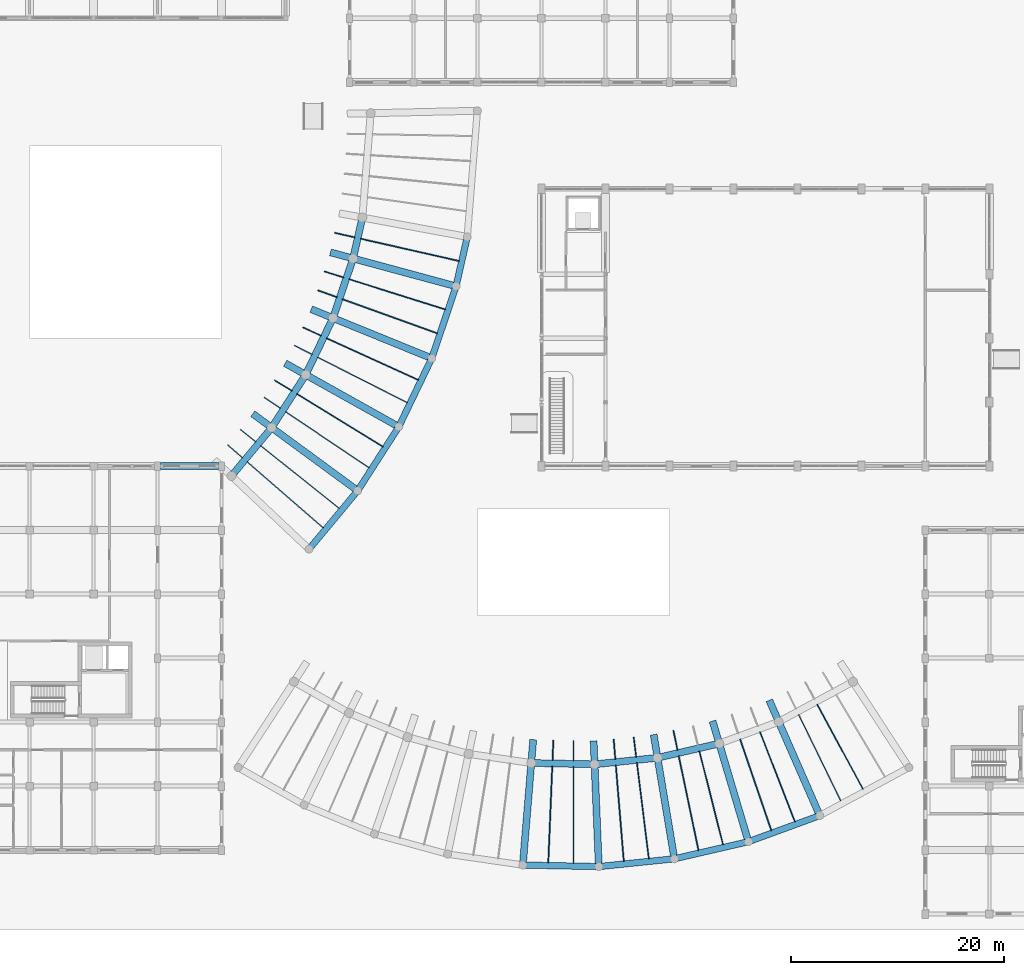
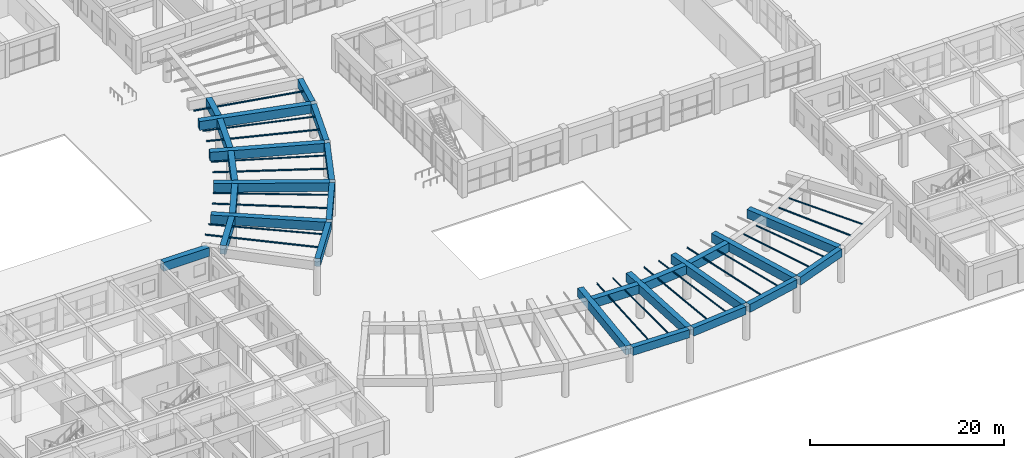
# One storey, part 13 of 76: 60 beams.
"""IFC4 building model written with IfcOpenShell, lengths in metres."""

from ifc_helpers import new_model, si_unit, direction, frame, origin, origin_2d, place, context, subcontext, project, spatial, rectangle, i_section, extrude, material, material_profile, profile_set, type_object, element, save


model = new_model("IFC4")

# Units and contexts
model_context = context("Model", 3, precision=1e-05, world=origin(), true_north=direction((0.0, 1.0)))
body_context = subcontext(model_context, "Body", "Model", "MODEL_VIEW")
ifc_project = project(units=[si_unit("LENGTHUNIT", "METRE"), si_unit("AREAUNIT", "SQUARE_METRE"), si_unit("VOLUMEUNIT", "CUBIC_METRE"), si_unit("PLANEANGLEUNIT", "RADIAN"), si_unit("MASSUNIT", "GRAM", prefix="KILO"), si_unit("POWERUNIT", "WATT"), si_unit("THERMODYNAMICTEMPERATUREUNIT", "KELVIN")], contexts=[model_context])

# Site, building, storey
site_placement = place(None, origin())
site = spatial("IfcSite", under=ifc_project, at=site_placement, CompositionType="ELEMENT")
building_placement = place(site_placement, origin())
building = spatial("IfcBuilding", under=site, at=building_placement, Name="Ruvembo Vaulted Housing Court", CompositionType="ELEMENT")
storey_placement = place(building_placement, origin())
storey = spatial("IfcBuildingStorey", under=building, at=storey_placement, Name="L00", CompositionType="ELEMENT", Elevation=0.0)

# Beams
ifc_material_1 = material(Name="Steel S355J2", Category="steel")
ifc_material_profile_1 = material_profile(ifc_material_1, i_section(OverallWidth=0.08203125, OverallDepth=0.159912109375, WebThickness=0.0048828125, FlangeThickness=0.00732421875, FilletRadius=0.009033203125, at=origin_2d()), Name="IPE 160")
ifc_profile_set_1 = profile_set([ifc_material_profile_1], Name="Steel S355J2")
beam_type_1 = type_object("IfcBeamType", Name="BM-ST-IPE160", PredefinedType="JOIST", material=ifc_profile_set_1)
beam_1_placement = place(storey_placement, frame((47.05126953125, 38.02490234375, 4.159912109375), z_axis=(-0.781430375968, 0.623992441873, 0.0), x_axis=(-0.623992441873, -0.781430375968, 0.0)))
element("IfcBeam", 1, at=beam_1_placement, inside=storey, type_object=beam_type_1, Name="Scoop SC1 L00 Interior Radial Joist 2", PredefinedType="JOIST", context=body_context, shape_type="SweptSolid", body=[
    extrude(i_section(OverallWidth=0.08203125, OverallDepth=0.159912109375, WebThickness=0.0048828125, FlangeThickness=0.00732421875, FilletRadius=0.009033203125, at=origin_2d()), origin(), (0.0, 0.0, 1.0), 9.453125),
])
beam_2_placement = place(storey_placement, frame((39.226806640625, 44.273193359375, 4.159912109375), z_axis=(-0.781489417742, 0.623918496246, 0.0), x_axis=(-0.623918496246, -0.781489417742, 0.0)))
element("IfcBeam", 2, at=beam_2_placement, inside=storey, type_object=beam_type_1, Name="Scoop SC1 L00 Radial Balcony Outrigger Joist 2", PredefinedType="JOIST", context=body_context, shape_type="SweptSolid", body=[
    extrude(i_section(OverallWidth=0.08203125, OverallDepth=0.159912109375, WebThickness=0.0048828125, FlangeThickness=0.00732421875, FilletRadius=0.009033203125, at=origin_2d()), origin(), (0.0, 0.0, 1.0), 1.87939453125),
])
beam_3_placement = place(storey_placement, frame((51.12255859375, 43.820556640625, 4.159912109375), z_axis=(-0.852040277322, 0.523476232337, 0.0), x_axis=(-0.523476232337, -0.852040277322, 0.0)))
element("IfcBeam", 3, at=beam_3_placement, inside=storey, type_object=beam_type_1, Name="Scoop SC1 L00 Interior Radial Joist 5", PredefinedType="JOIST", context=body_context, shape_type="SweptSolid", body=[
    extrude(i_section(OverallWidth=0.08203125, OverallDepth=0.159912109375, WebThickness=0.0048828125, FlangeThickness=0.00732421875, FilletRadius=0.009033203125, at=origin_2d()), origin(), (0.0, 0.0, 1.0), 9.453125),
])
beam_4_placement = place(storey_placement, frame((42.5908203125, 49.062255859375, 4.159912109375), z_axis=(-0.852081780152, 0.523408673919, 0.0), x_axis=(-0.523408673919, -0.852081780152, 0.0)))
element("IfcBeam", 4, at=beam_4_placement, inside=storey, type_object=beam_type_1, Name="Scoop SC1 L00 Radial Balcony Outrigger Joist 5", PredefinedType="JOIST", context=body_context, shape_type="SweptSolid", body=[
    extrude(i_section(OverallWidth=0.08203125, OverallDepth=0.159912109375, WebThickness=0.0048828125, FlangeThickness=0.00732421875, FilletRadius=0.009033203125, at=origin_2d()), origin(), (0.0, 0.0, 1.0), 1.87939453125),
])
beam_5_placement = place(storey_placement, frame((54.45263671875, 50.072021484375, 4.159912109375), z_axis=(-0.909808441123, 0.415028433316, 0.0), x_axis=(-0.415028433316, -0.909808441123, 0.0)))
element("IfcBeam", 5, at=beam_5_placement, inside=storey, type_object=beam_type_1, Name="Scoop SC1 L00 Interior Radial Joist 8", PredefinedType="JOIST", context=body_context, shape_type="SweptSolid", body=[
    extrude(i_section(OverallWidth=0.08203125, OverallDepth=0.159912109375, WebThickness=0.0048828125, FlangeThickness=0.00732421875, FilletRadius=0.009033203125, at=origin_2d()), origin(), (0.0, 0.0, 1.0), 9.453125),
])
beam_6_placement = place(storey_placement, frame((45.342529296875, 54.227783203125, 4.159912109375), z_axis=(-0.909809582836, 0.415025930491, 0.0), x_axis=(-0.415025930491, -0.909809582836, 0.0)))
element("IfcBeam", 6, at=beam_6_placement, inside=storey, type_object=beam_type_1, Name="Scoop SC1 L00 Radial Balcony Outrigger Joist 8", PredefinedType="JOIST", context=body_context, shape_type="SweptSolid", body=[
    extrude(i_section(OverallWidth=0.08203125, OverallDepth=0.159912109375, WebThickness=0.0048828125, FlangeThickness=0.00732421875, FilletRadius=0.009033203125, at=origin_2d()), origin(), (0.0, 0.0, 1.0), 1.87939453125),
])
beam_7_placement = place(storey_placement, frame((56.990966796875, 56.684326171875, 4.159912109375), z_axis=(-0.953827467459, 0.300355060422, 0.0), x_axis=(-0.300355060422, -0.953827467459, 0.0)))
element("IfcBeam", 7, at=beam_7_placement, inside=storey, type_object=beam_type_1, Name="Scoop SC1 L00 Interior Radial Joist 11", PredefinedType="JOIST", context=body_context, shape_type="SweptSolid", body=[
    extrude(i_section(OverallWidth=0.08203125, OverallDepth=0.159912109375, WebThickness=0.0048828125, FlangeThickness=0.00732421875, FilletRadius=0.009033203125, at=origin_2d()), origin(), (0.0, 0.0, 1.0), 9.453369140625),
])
beam_8_placement = place(storey_placement, frame((47.43994140625, 59.69189453125, 4.159912109375), z_axis=(-0.953874741445, 0.300204892752, 0.0), x_axis=(-0.300204892752, -0.953874741445, 0.0)))
element("IfcBeam", 8, at=beam_8_placement, inside=storey, type_object=beam_type_1, Name="Scoop SC1 L00 Radial Balcony Outrigger Joist 11", PredefinedType="JOIST", context=body_context, shape_type="SweptSolid", body=[
    extrude(i_section(OverallWidth=0.08203125, OverallDepth=0.159912109375, WebThickness=0.0048828125, FlangeThickness=0.00732421875, FilletRadius=0.009033203125, at=origin_2d()), origin(), (0.0, 0.0, 1.0), 1.87939453125),
])
beam_9_placement = place(storey_placement, frame((69.0, 4.748046875, 4.159912109375), z_axis=(0.0, 1.0, 0.0), x_axis=(-1.0, 0.0, 0.0)))
element("IfcBeam", 9, at=beam_9_placement, inside=storey, type_object=beam_type_1, Name="Scoop SC2 L00 Interior Radial Joist 14", PredefinedType="JOIST", context=body_context, shape_type="SweptSolid", body=[
    extrude(i_section(OverallWidth=0.08203125, OverallDepth=0.159912109375, WebThickness=0.0048828125, FlangeThickness=0.00732421875, FilletRadius=0.009033203125, at=origin_2d()), origin(), (0.0, 0.0, 1.0), 9.0537109375),
])
beam_10_placement = place(storey_placement, frame((69.0, 14.36181640625, 4.159912109375), z_axis=(0.0, 1.0, 0.0), x_axis=(-1.0, 0.0, 0.0)))
element("IfcBeam", 10, at=beam_10_placement, inside=storey, type_object=beam_type_1, Name="Scoop SC2 L00 Radial Balcony Outrigger Joist 14", PredefinedType="JOIST", context=body_context, shape_type="SweptSolid", body=[
    extrude(i_section(OverallWidth=0.08203125, OverallDepth=0.159912109375, WebThickness=0.0048828125, FlangeThickness=0.00732421875, FilletRadius=0.009033203125, at=origin_2d()), origin(), (0.0, 0.0, 1.0), 1.878173828125),
])
beam_11_placement = place(storey_placement, frame((76.0673828125, 5.185791015625, 4.159912109375), z_axis=(-0.123447283498, 0.992351131504, 0.0), x_axis=(-0.992351131504, -0.123447283498, 0.0)))
element("IfcBeam", 11, at=beam_11_placement, inside=storey, type_object=beam_type_1, Name="Scoop SC2 L00 Interior Radial Joist 17", PredefinedType="JOIST", context=body_context, shape_type="SweptSolid", body=[
    extrude(i_section(OverallWidth=0.08203125, OverallDepth=0.159912109375, WebThickness=0.0048828125, FlangeThickness=0.00732421875, FilletRadius=0.009033203125, at=origin_2d()), origin(), (0.0, 0.0, 1.0), 9.053955078125),
])
beam_12_placement = place(storey_placement, frame((74.880615234375, 14.72607421875, 4.159912109375), z_axis=(-0.123474828981, 0.992347704491, 0.0), x_axis=(-0.992347704491, -0.123474828981, 0.0)))
element("IfcBeam", 12, at=beam_12_placement, inside=storey, type_object=beam_type_1, Name="Scoop SC2 L00 Radial Balcony Outrigger Joist 17", PredefinedType="JOIST", context=body_context, shape_type="SweptSolid", body=[
    extrude(i_section(OverallWidth=0.08203125, OverallDepth=0.159912109375, WebThickness=0.0048828125, FlangeThickness=0.00732421875, FilletRadius=0.009033203125, at=origin_2d()), origin(), (0.0, 0.0, 1.0), 1.87841796875),
])
beam_13_placement = place(storey_placement, frame((83.026611328125, 6.492919921875, 4.159912109375), z_axis=(-0.244990383198, 0.969525508762, 0.0), x_axis=(-0.969525508762, -0.244990383198, 0.0)))
element("IfcBeam", 13, at=beam_13_placement, inside=storey, type_object=beam_type_1, Name="Scoop SC2 L00 Interior Radial Joist 20", PredefinedType="JOIST", context=body_context, shape_type="SweptSolid", body=[
    extrude(i_section(OverallWidth=0.08203125, OverallDepth=0.159912109375, WebThickness=0.0048828125, FlangeThickness=0.00732421875, FilletRadius=0.009033203125, at=origin_2d()), origin(), (0.0, 0.0, 1.0), 9.053466796875),
])
beam_14_placement = place(storey_placement, frame((89.771484375, 8.64892578125, 4.159912109375), z_axis=(-0.362801492903, 0.931866447914, 0.0), x_axis=(-0.931866447914, -0.362801492903, 0.0)))
element("IfcBeam", 14, at=beam_14_placement, inside=storey, type_object=beam_type_1, Name="Scoop SC2 L00 Interior Radial Joist 23", PredefinedType="JOIST", context=body_context, shape_type="SweptSolid", body=[
    extrude(i_section(OverallWidth=0.08203125, OverallDepth=0.159912109375, WebThickness=0.0048828125, FlangeThickness=0.00732421875, FilletRadius=0.009033203125, at=origin_2d()), origin(), (0.0, 0.0, 1.0), 9.0537109375),
])
beam_15_placement = place(storey_placement, frame((96.152099609375, 11.707275390625, 4.159912109375), z_axis=(-0.47507738199, 0.879944021584, 0.0), x_axis=(-0.879944021584, -0.47507738199, 0.0)))
element("IfcBeam", 15, at=beam_15_placement, inside=storey, type_object=beam_type_1, Name="Scoop SC2 L00 Interior Radial Joist 26", PredefinedType="JOIST", context=body_context, shape_type="SweptSolid", body=[
    extrude(i_section(OverallWidth=0.08203125, OverallDepth=0.159912109375, WebThickness=0.0048828125, FlangeThickness=0.00732421875, FilletRadius=0.009033203125, at=origin_2d()), origin(), (0.0, 0.0, 1.0), 9.037353515625),
])
ifc_material_profile_2 = material_profile(ifc_material_1, i_section(OverallWidth=0.091064453125, OverallDepth=0.179931640625, WebThickness=0.00537109375, FlangeThickness=0.008056640625, FilletRadius=0.009033203125, at=origin_2d()), Name="IPE 180")
ifc_profile_set_2 = profile_set([ifc_material_profile_2], Name="Steel S355J2")
beam_type_2 = type_object("IfcBeamType", Name="BM-ST-IPE180", PredefinedType="JOIST", material=ifc_profile_set_2)
beam_16_placement = place(storey_placement, frame((45.539794921875, 36.20947265625, 4.14990234375), z_axis=(-0.755215111668, 0.655477028665, 0.0), x_axis=(-0.655477028665, -0.755215111668, 0.0)))
element("IfcBeam", 16, at=beam_16_placement, inside=storey, type_object=beam_type_2, Name="Scoop SC1 L00 Interior Radial Joist 1", PredefinedType="JOIST", context=body_context, shape_type="SweptSolid", body=[
    extrude(i_section(OverallWidth=0.091064453125, OverallDepth=0.179931640625, WebThickness=0.00537109375, FlangeThickness=0.008056640625, FilletRadius=0.009033203125, at=origin_2d()), origin(), (0.0, 0.0, 1.0), 9.453369140625),
])
beam_17_placement = place(storey_placement, frame((37.9775390625, 42.77294921875, 4.14990234375), z_axis=(-0.755170192682, 0.655528778991, 0.0), x_axis=(-0.655528778991, -0.755170192682, 0.0)))
element("IfcBeam", 17, at=beam_17_placement, inside=storey, type_object=beam_type_2, Name="Scoop SC1 L00 Radial Balcony Outrigger Joist 1", PredefinedType="JOIST", context=body_context, shape_type="SweptSolid", body=[
    extrude(i_section(OverallWidth=0.091064453125, OverallDepth=0.179931640625, WebThickness=0.00537109375, FlangeThickness=0.008056640625, FilletRadius=0.009033203125, at=origin_2d()), origin(), (0.0, 0.0, 1.0), 1.87939453125),
])
beam_18_placement = place(storey_placement, frame((49.844970703125, 41.83349609375, 4.14990234375), z_axis=(-0.829874526945, 0.557950060066, 0.0), x_axis=(-0.557950060066, -0.829874526945, 0.0)))
element("IfcBeam", 18, at=beam_18_placement, inside=storey, type_object=beam_type_2, Name="Scoop SC1 L00 Interior Radial Joist 4", PredefinedType="JOIST", context=body_context, shape_type="SweptSolid", body=[
    extrude(i_section(OverallWidth=0.091064453125, OverallDepth=0.179931640625, WebThickness=0.00537109375, FlangeThickness=0.008056640625, FilletRadius=0.009033203125, at=origin_2d()), origin(), (0.0, 0.0, 1.0), 9.453125),
])
beam_19_placement = place(storey_placement, frame((41.53515625, 47.42041015625, 4.14990234375), z_axis=(-0.829865385997, 0.557963655738, 0.0), x_axis=(-0.557963655738, -0.829865385997, 0.0)))
element("IfcBeam", 19, at=beam_19_placement, inside=storey, type_object=beam_type_2, Name="Scoop SC1 L00 Radial Balcony Outrigger Joist 4", PredefinedType="JOIST", context=body_context, shape_type="SweptSolid", body=[
    extrude(i_section(OverallWidth=0.091064453125, OverallDepth=0.179931640625, WebThickness=0.00537109375, FlangeThickness=0.008056640625, FilletRadius=0.009033203125, at=origin_2d()), origin(), (0.0, 0.0, 1.0), 1.87939453125),
])
beam_20_placement = place(storey_placement, frame((53.42822265625, 47.943359375, 4.14990234375), z_axis=(-0.892038552636, 0.451959313003, 0.0), x_axis=(-0.451959313003, -0.892038552636, 0.0)))
element("IfcBeam", 20, at=beam_20_placement, inside=storey, type_object=beam_type_2, Name="Scoop SC1 L00 Interior Radial Joist 7", PredefinedType="JOIST", context=body_context, shape_type="SweptSolid", body=[
    extrude(i_section(OverallWidth=0.091064453125, OverallDepth=0.179931640625, WebThickness=0.00537109375, FlangeThickness=0.008056640625, FilletRadius=0.009033203125, at=origin_2d()), origin(), (0.0, 0.0, 1.0), 9.453125),
])
beam_21_placement = place(storey_placement, frame((44.49609375, 52.468994140625, 4.14990234375), z_axis=(-0.892050440061, 0.451935849858, 0.0), x_axis=(-0.451935849858, -0.892050440061, 0.0)))
element("IfcBeam", 21, at=beam_21_placement, inside=storey, type_object=beam_type_2, Name="Scoop SC1 L00 Radial Balcony Outrigger Joist 7", PredefinedType="JOIST", context=body_context, shape_type="SweptSolid", body=[
    extrude(i_section(OverallWidth=0.091064453125, OverallDepth=0.179931640625, WebThickness=0.00537109375, FlangeThickness=0.008056640625, FilletRadius=0.009033203125, at=origin_2d()), origin(), (0.0, 0.0, 1.0), 1.87939453125),
])
beam_22_placement = place(storey_placement, frame((56.2353515625, 54.4462890625, 4.14990234375), z_axis=(-0.940733896396, 0.339145597306, 0.0), x_axis=(-0.339145597306, -0.940733896396, 0.0)))
element("IfcBeam", 22, at=beam_22_placement, inside=storey, type_object=beam_type_2, Name="Scoop SC1 L00 Interior Radial Joist 10", PredefinedType="JOIST", context=body_context, shape_type="SweptSolid", body=[
    extrude(i_section(OverallWidth=0.091064453125, OverallDepth=0.179931640625, WebThickness=0.00537109375, FlangeThickness=0.008056640625, FilletRadius=0.009033203125, at=origin_2d()), origin(), (0.0, 0.0, 1.0), 9.453369140625),
])
beam_23_placement = place(storey_placement, frame((46.815673828125, 57.84228515625, 4.14990234375), z_axis=(-0.940726680579, 0.339165612123, 0.0), x_axis=(-0.339165612123, -0.940726680579, 0.0)))
element("IfcBeam", 23, at=beam_23_placement, inside=storey, type_object=beam_type_2, Name="Scoop SC1 L00 Radial Balcony Outrigger Joist 10", PredefinedType="JOIST", context=body_context, shape_type="SweptSolid", body=[
    extrude(i_section(OverallWidth=0.091064453125, OverallDepth=0.179931640625, WebThickness=0.00537109375, FlangeThickness=0.008056640625, FilletRadius=0.009033203125, at=origin_2d()), origin(), (0.0, 0.0, 1.0), 1.87939453125),
])
beam_24_placement = place(storey_placement, frame((58.271240234375, 61.2333984375, 4.14990234375), z_axis=(-0.975213901384, 0.221264200782, 0.0), x_axis=(-0.221264200782, -0.975213901384, 0.0)))
element("IfcBeam", 24, at=beam_24_placement, inside=storey, type_object=beam_type_2, Name="Scoop SC1 L00 Interior Radial Joist 13", PredefinedType="JOIST", context=body_context, shape_type="SweptSolid", body=[
    extrude(i_section(OverallWidth=0.091064453125, OverallDepth=0.179931640625, WebThickness=0.00537109375, FlangeThickness=0.008056640625, FilletRadius=0.009033203125, at=origin_2d()), origin(), (0.0, 0.0, 1.0), 9.461669921875),
])
beam_25_placement = place(storey_placement, frame((48.498046875, 63.45068359375, 4.14990234375), z_axis=(-0.975207758106, 0.221291275314, 0.0), x_axis=(-0.221291275314, -0.975207758106, 0.0)))
element("IfcBeam", 25, at=beam_25_placement, inside=storey, type_object=beam_type_2, Name="Scoop SC1 L00 Radial Balcony Outrigger Joist 13", PredefinedType="JOIST", context=body_context, shape_type="SweptSolid", body=[
    extrude(i_section(OverallWidth=0.091064453125, OverallDepth=0.179931640625, WebThickness=0.00537109375, FlangeThickness=0.008056640625, FilletRadius=0.009033203125, at=origin_2d()), origin(), (0.0, 0.0, 1.0), 1.919677734375),
])
beam_26_placement = place(storey_placement, frame((66.638916015625, 4.796630859375, 4.14990234375), z_axis=(0.041230125924, 0.999149676833, 0.0), x_axis=(-0.999149676833, 0.041230125924, 0.0)))
element("IfcBeam", 26, at=beam_26_placement, inside=storey, type_object=beam_type_2, Name="Scoop SC2 L00 Interior Radial Joist 13", PredefinedType="JOIST", context=body_context, shape_type="SweptSolid", body=[
    extrude(i_section(OverallWidth=0.091064453125, OverallDepth=0.179931640625, WebThickness=0.00537109375, FlangeThickness=0.008056640625, FilletRadius=0.009033203125, at=origin_2d()), origin(), (0.0, 0.0, 1.0), 9.053955078125),
])
beam_27_placement = place(storey_placement, frame((67.035400390625, 14.402099609375, 4.14990234375), z_axis=(0.041198083577, 0.999150998553, 0.0), x_axis=(-0.999150998553, 0.041198083577, 0.0)))
element("IfcBeam", 27, at=beam_27_placement, inside=storey, type_object=beam_type_2, Name="Scoop SC2 L00 Radial Balcony Outrigger Joist 13", PredefinedType="JOIST", context=body_context, shape_type="SweptSolid", body=[
    extrude(i_section(OverallWidth=0.091064453125, OverallDepth=0.179931640625, WebThickness=0.00537109375, FlangeThickness=0.008056640625, FilletRadius=0.009033203125, at=origin_2d()), origin(), (0.0, 0.0, 1.0), 1.878662109375),
])
beam_28_placement = place(storey_placement, frame((73.71826171875, 4.94287109375, 4.14990234375), z_axis=(-0.082409427011, 0.996598558267, 0.0), x_axis=(-0.996598558267, -0.082409427011, 0.0)))
element("IfcBeam", 28, at=beam_28_placement, inside=storey, type_object=beam_type_2, Name="Scoop SC2 L00 Interior Radial Joist 16", PredefinedType="JOIST", context=body_context, shape_type="SweptSolid", body=[
    extrude(i_section(OverallWidth=0.091064453125, OverallDepth=0.179931640625, WebThickness=0.00537109375, FlangeThickness=0.008056640625, FilletRadius=0.009033203125, at=origin_2d()), origin(), (0.0, 0.0, 1.0), 9.053466796875),
])
beam_29_placement = place(storey_placement, frame((72.926025390625, 14.523681640625, 4.14990234375), z_axis=(-0.082400101048, 0.996599329393, 0.0), x_axis=(-0.996599329393, -0.082400101048, 0.0)))
element("IfcBeam", 29, at=beam_29_placement, inside=storey, type_object=beam_type_2, Name="Scoop SC2 L00 Radial Balcony Outrigger Joist 16", PredefinedType="JOIST", context=body_context, shape_type="SweptSolid", body=[
    extrude(i_section(OverallWidth=0.091064453125, OverallDepth=0.179931640625, WebThickness=0.00537109375, FlangeThickness=0.008056640625, FilletRadius=0.009033203125, at=origin_2d()), origin(), (0.0, 0.0, 1.0), 1.87841796875),
])
beam_30_placement = place(storey_placement, frame((80.7255859375, 5.961669921875, 4.14990234375), z_axis=(-0.204804877, 0.978802820979, 0.0), x_axis=(-0.978802820979, -0.204804877, 0.0)))
element("IfcBeam", 30, at=beam_30_placement, inside=storey, type_object=beam_type_2, Name="Scoop SC2 L00 Interior Radial Joist 19", PredefinedType="JOIST", context=body_context, shape_type="SweptSolid", body=[
    extrude(i_section(OverallWidth=0.091064453125, OverallDepth=0.179931640625, WebThickness=0.00537109375, FlangeThickness=0.008056640625, FilletRadius=0.009033203125, at=origin_2d()), origin(), (0.0, 0.0, 1.0), 9.0537109375),
])
beam_31_placement = place(storey_placement, frame((78.756591796875, 15.37158203125, 4.14990234375), z_axis=(-0.204857362013, 0.978791837537, 0.0), x_axis=(-0.978791837537, -0.204857362013, 0.0)))
element("IfcBeam", 31, at=beam_31_placement, inside=storey, type_object=beam_type_2, Name="Scoop SC2 L00 Radial Balcony Outrigger Joist 19", PredefinedType="JOIST", context=body_context, shape_type="SweptSolid", body=[
    extrude(i_section(OverallWidth=0.091064453125, OverallDepth=0.179931640625, WebThickness=0.00537109375, FlangeThickness=0.008056640625, FilletRadius=0.009033203125, at=origin_2d()), origin(), (0.0, 0.0, 1.0), 1.878173828125),
])
beam_32_placement = place(storey_placement, frame((87.553466796875, 7.837646484375, 4.14990234375), z_axis=(-0.324071990867, 0.946032422666, 0.0), x_axis=(-0.946032422666, -0.324071990867, 0.0)))
element("IfcBeam", 32, at=beam_32_placement, inside=storey, type_object=beam_type_2, Name="Scoop SC2 L00 Interior Radial Joist 22", PredefinedType="JOIST", context=body_context, shape_type="SweptSolid", body=[
    extrude(i_section(OverallWidth=0.091064453125, OverallDepth=0.179931640625, WebThickness=0.00537109375, FlangeThickness=0.008056640625, FilletRadius=0.009033203125, at=origin_2d()), origin(), (0.0, 0.0, 1.0), 9.0537109375),
])
beam_33_placement = place(storey_placement, frame((94.076171875, 10.58642578125, 4.14990234375), z_axis=(-0.43838215337, 0.898788677948, 0.0), x_axis=(-0.898788677948, -0.43838215337, 0.0)))
element("IfcBeam", 33, at=beam_33_placement, inside=storey, type_object=beam_type_2, Name="Scoop SC2 L00 Interior Radial Joist 25", PredefinedType="JOIST", context=body_context, shape_type="SweptSolid", body=[
    extrude(i_section(OverallWidth=0.091064453125, OverallDepth=0.179931640625, WebThickness=0.00537109375, FlangeThickness=0.008056640625, FilletRadius=0.009033203125, at=origin_2d()), origin(), (0.0, 0.0, 1.0), 9.04541015625),
])
ifc_material_2 = material(Name="Concrete C40/50", Category="concrete")
ifc_material_profile_3 = material_profile(ifc_material_2, rectangle(XDim=0.60009765625, YDim=1.0, at=origin_2d()), Name="RC 600x1000")
ifc_profile_set_3 = profile_set([ifc_material_profile_3], Name="Concrete C40/50")
beam_type_3 = type_object("IfcBeamType", Name="TB-RC-600x1000", PredefinedType="BEAM", material=ifc_profile_set_3)
beam_34_placement = place(storey_placement, frame((44.361328125, 34.40380859375, 3.748046875), z_axis=(0.639888045682, 0.768468144424, 0.0), x_axis=(-0.768468144424, 0.639888045682, 0.0)))
element("IfcBeam", 34, at=beam_34_placement, inside=storey, type_object=beam_type_3, Name="Scoop SC1 Pilotis Transfer Girder B0", PredefinedType="BEAM", context=body_context, shape_type="SweptSolid", body=[
    extrude(rectangle(XDim=0.60009765625, YDim=1.0, at=origin_2d()), origin(), (0.0, 0.0, 1.0), 6.6455078125),
])
beam_35_placement = place(storey_placement, frame((48.897216796875, 39.897216796875, 3.748046875), z_axis=(0.540830005611, 0.841131918923, 0.0), x_axis=(-0.841131918923, 0.540830005611, 0.0)))
element("IfcBeam", 35, at=beam_35_placement, inside=storey, type_object=beam_type_3, Name="Scoop SC1 Pilotis Transfer Girder B3", PredefinedType="BEAM", context=body_context, shape_type="SweptSolid", body=[
    extrude(rectangle(XDim=0.60009765625, YDim=1.0, at=origin_2d()), origin(), (0.0, 0.0, 1.0), 6.645263671875),
])
beam_36_placement = place(storey_placement, frame((52.72509765625, 45.905029296875, 3.748046875), z_axis=(0.433583638575, 0.901113327146, 0.0), x_axis=(-0.901113327146, 0.433583638575, 0.0)))
element("IfcBeam", 36, at=beam_36_placement, inside=storey, type_object=beam_type_3, Name="Scoop SC1 Pilotis Transfer Girder B6", PredefinedType="BEAM", context=body_context, shape_type="SweptSolid", body=[
    extrude(rectangle(XDim=0.60009765625, YDim=1.0, at=origin_2d()), origin(), (0.0, 0.0, 1.0), 6.6455078125),
])
beam_37_placement = place(storey_placement, frame((55.787353515625, 52.337158203125, 3.748046875), z_axis=(0.319807502877, 0.94748253868, 0.0), x_axis=(-0.94748253868, 0.319807502877, 0.0)))
element("IfcBeam", 37, at=beam_37_placement, inside=storey, type_object=beam_type_3, Name="Scoop SC1 Pilotis Transfer Girder B9", PredefinedType="BEAM", context=body_context, shape_type="SweptSolid", body=[
    extrude(rectangle(XDim=0.60009765625, YDim=1.0, at=origin_2d()), origin(), (0.0, 0.0, 1.0), 6.645263671875),
])
beam_38_placement = place(storey_placement, frame((58.04248046875, 59.09521484375, 3.748046875), z_axis=(0.221285151201, 0.975209147751, 0.0), x_axis=(-0.975209147751, 0.221285151201, 0.0)))
element("IfcBeam", 38, at=beam_38_placement, inside=storey, type_object=beam_type_3, Name="Scoop SC1 Pilotis Transfer Girder B12", PredefinedType="BEAM", context=body_context, shape_type="SweptSolid", body=[
    extrude(rectangle(XDim=0.60009765625, YDim=1.0, at=origin_2d()), origin(), (0.0, 0.0, 1.0), 4.27197265625),
])
for number, where, z_axis, x_axis, name in (
    (39, (64.492919921875, 4.591064453125, 3.748046875), (0.999786739485, -0.02065128446, 0.0), (0.02065128446, 0.999786739485, 0.0), "Scoop SC2 Pilotis Transfer Girder B12"),
    (40, (71.6142578125, 4.4736328125, 3.748046875), (0.99468517744, 0.102963089408, 0.0), (-0.102963089408, 0.99468517744, 0.0), "Scoop SC2 Pilotis Transfer Girder B15"),
    (41, (78.695556640625, 5.236328125, 3.748046875), (0.974367656144, 0.224961487061, 0.0), (-0.224961487061, 0.974367656144, 0.0), "Scoop SC2 Pilotis Transfer Girder B18"),
    (42, (85.62841796875, 6.867431640625, 3.748046875), (0.939140491017, 0.343533314442, 0.0), (-0.343533314442, 0.939140491017, 0.0), "Scoop SC2 Pilotis Transfer Girder B21"),
):
    element("IfcBeam", number, at=place(storey_placement, frame(where, z_axis=z_axis, x_axis=x_axis)), inside=storey, type_object=beam_type_3, Name=name, PredefinedType="BEAM", context=body_context, shape_type="SweptSolid", body=[
        extrude(rectangle(XDim=0.60009765625, YDim=1.0, at=origin_2d()), origin(), (0.0, 0.0, 1.0), 6.64404296875),
    ])
ifc_material_profile_4 = material_profile(ifc_material_2, rectangle(XDim=0.64990234375, YDim=1.10009765625, at=origin_2d()), Name="RC 650x1100")
ifc_profile_set_4 = profile_set([ifc_material_profile_4], Name="Concrete C40/50")
beam_type_4 = type_object("IfcBeamType", Name="TB-RC-650x1100", PredefinedType="BEAM", material=ifc_profile_set_4)
beam_39_placement = place(storey_placement, frame((30.284912109375, 42.0, 3.679931640625), z_axis=(1.0, 0.0, 0.0), x_axis=(0.0, 1.0, 0.0)))
element("IfcBeam", 43, at=beam_39_placement, inside=storey, type_object=beam_type_4, Name="L00 Grid Beam X #835", PredefinedType="BEAM", context=body_context, shape_type="SweptSolid", body=[
    extrude(rectangle(XDim=0.64990234375, YDim=1.10009765625, at=origin_2d()), origin(), (0.0, 0.0, 1.0), 5.43017578125),
])
for number, where, z_axis, x_axis, name in (
    (44, (37.10986328125, 41.293212890625, 3.697998046875), (0.639882882464, 0.768472443702, 0.0), (-0.768472443702, 0.639882882464, 0.0), "Scoop SC1 Pilotis Transfer Girder F0"),
    (45, (40.85546875, 45.84521484375, 3.697998046875), (0.540794582945, 0.841154693892, 0.0), (-0.841154693892, 0.540794582945, 0.0), "Scoop SC1 Pilotis Transfer Girder F3"),
):
    element("IfcBeam", number, at=place(storey_placement, frame(where, z_axis=z_axis, x_axis=x_axis)), inside=storey, type_object=beam_type_4, Name=name, PredefinedType="BEAM", context=body_context, shape_type="SweptSolid", body=[
        extrude(rectangle(XDim=0.64990234375, YDim=1.10009765625, at=origin_2d()), origin(), (0.0, 0.0, 1.0), 5.3369140625),
    ])
beam_40_placement = place(storey_placement, frame((44.014404296875, 50.822265625, 3.697998046875), z_axis=(0.433603800568, 0.901103625635, 0.0), x_axis=(-0.901103625635, 0.433603800568, 0.0)))
element("IfcBeam", 46, at=beam_40_placement, inside=storey, type_object=beam_type_4, Name="Scoop SC1 Pilotis Transfer Girder F6", PredefinedType="BEAM", context=body_context, shape_type="SweptSolid", body=[
    extrude(rectangle(XDim=0.64990234375, YDim=1.10009765625, at=origin_2d()), origin(), (0.0, 0.0, 1.0), 5.337158203125),
])
beam_41_placement = place(storey_placement, frame((46.53955078125, 56.149169921875, 3.697998046875), z_axis=(0.319807391412, 0.947482576303, 0.0), x_axis=(-0.947482576303, 0.319807391412, 0.0)))
element("IfcBeam", 47, at=beam_41_placement, inside=storey, type_object=beam_type_4, Name="Scoop SC1 Pilotis Transfer Girder F9", PredefinedType="BEAM", context=body_context, shape_type="SweptSolid", body=[
    extrude(rectangle(XDim=0.64990234375, YDim=1.10009765625, at=origin_2d()), origin(), (0.0, 0.0, 1.0), 5.3369140625),
])
beam_42_placement = place(storey_placement, frame((48.39794921875, 61.744384765625, 3.697998046875), z_axis=(0.221305066405, 0.97520462857, 0.0), x_axis=(-0.97520462857, 0.221305066405, 0.0)))
element("IfcBeam", 48, at=beam_42_placement, inside=storey, type_object=beam_type_4, Name="Scoop SC1 Pilotis Transfer Girder F12", PredefinedType="BEAM", context=body_context, shape_type="SweptSolid", body=[
    extrude(rectangle(XDim=0.64990234375, YDim=1.10009765625, at=origin_2d()), origin(), (0.0, 0.0, 1.0), 3.37255859375),
])
for number, where, z_axis, x_axis, name in (
    (49, (48.57373046875, 39.837158203125, 3.697998046875), (-0.8063407427, 0.591451271588, 0.0), (-0.591451271588, -0.8063407427, 0.0), "Scoop SC1 Radial Pilotis Transfer Girder 3"),
    (50, (52.411376953125, 45.805908203125, 3.697998046875), (-0.872778782693, 0.488115966221, 0.0), (-0.488115966221, -0.872778782693, 0.0), "Scoop SC1 Radial Pilotis Transfer Girder 6"),
):
    element("IfcBeam", number, at=place(storey_placement, frame(where, z_axis=z_axis, x_axis=x_axis)), inside=storey, type_object=beam_type_4, Name=name, PredefinedType="BEAM", context=body_context, shape_type="SweptSolid", body=[
        extrude(rectangle(XDim=0.64990234375, YDim=1.10009765625, at=origin_2d()), origin(), (0.0, 0.0, 1.0), 11.9599609375),
    ])
beam_43_placement = place(storey_placement, frame((55.48828125, 52.2001953125, 3.697998046875), z_axis=(-0.926045595414, 0.377411652198, 0.0), x_axis=(-0.377411652198, -0.926045595414, 0.0)))
element("IfcBeam", 51, at=beam_43_placement, inside=storey, type_object=beam_type_4, Name="Scoop SC1 Radial Pilotis Transfer Girder 9", PredefinedType="BEAM", context=body_context, shape_type="SweptSolid", body=[
    extrude(rectangle(XDim=0.64990234375, YDim=1.10009765625, at=origin_2d()), origin(), (0.0, 0.0, 1.0), 11.960205078125),
])
beam_44_placement = place(storey_placement, frame((57.7578125, 58.923583984375, 3.697998046875), z_axis=(-0.965332954487, 0.261021621675, 0.0), x_axis=(-0.261021621675, -0.965332954487, 0.0)))
element("IfcBeam", 52, at=beam_44_placement, inside=storey, type_object=beam_type_4, Name="Scoop SC1 Radial Pilotis Transfer Girder 12", PredefinedType="BEAM", context=body_context, shape_type="SweptSolid", body=[
    extrude(rectangle(XDim=0.64990234375, YDim=1.10009765625, at=origin_2d()), origin(), (0.0, 0.0, 1.0), 11.9599609375),
])
for number, where, z_axis, x_axis, name in (
    (53, (65.32421875, 14.157470703125, 3.697998046875), (0.999787486014, -0.020615111211, 0.0), (0.020615111211, 0.999787486014, 0.0), "Scoop SC2 Pilotis Transfer Girder F12"),
    (54, (71.258056640625, 14.069580078125, 3.697998046875), (0.994683136291, 0.102982806222, 0.0), (-0.102982806222, 0.994683136291, 0.0), "Scoop SC2 Pilotis Transfer Girder F15"),
    (55, (77.157470703125, 14.715087890625, 3.697998046875), (0.974372060334, 0.224942410499, 0.0), (-0.224942410499, 0.974372060334, 0.0), "Scoop SC2 Pilotis Transfer Girder F18"),
):
    element("IfcBeam", number, at=place(storey_placement, frame(where, z_axis=z_axis, x_axis=x_axis)), inside=storey, type_object=beam_type_4, Name=name, PredefinedType="BEAM", context=body_context, shape_type="SweptSolid", body=[
        extrude(rectangle(XDim=0.64990234375, YDim=1.10009765625, at=origin_2d()), origin(), (0.0, 0.0, 1.0), 5.376708984375),
    ])
beam_45_placement = place(storey_placement, frame((64.272705078125, 4.835205078125, 3.697998046875), z_axis=(0.08243022505, 0.996596838244, 0.0), x_axis=(-0.996596838244, 0.08243022505, 0.0)))
element("IfcBeam", 56, at=beam_45_placement, inside=storey, type_object=beam_type_4, Name="Scoop SC2 Radial Pilotis Transfer Girder 12", PredefinedType="BEAM", context=body_context, shape_type="SweptSolid", body=[
    extrude(rectangle(XDim=0.64990234375, YDim=1.10009765625, at=origin_2d()), origin(), (0.0, 0.0, 1.0), 11.559814453125),
])
beam_46_placement = place(storey_placement, frame((71.365478515625, 4.688720703125, 3.697998046875), z_axis=(-0.041224701038, 0.999149900678, 0.0), x_axis=(-0.999149900678, -0.041224701038, 0.0)))
element("IfcBeam", 57, at=beam_46_placement, inside=storey, type_object=beam_type_4, Name="Scoop SC2 Radial Pilotis Transfer Girder 15", PredefinedType="BEAM", context=body_context, shape_type="SweptSolid", body=[
    extrude(rectangle(XDim=0.64990234375, YDim=1.10009765625, at=origin_2d()), origin(), (0.0, 0.0, 1.0), 11.56005859375),
])
beam_47_placement = place(storey_placement, frame((78.42236328125, 5.419189453125, 3.697998046875), z_axis=(-0.164289392674, 0.986412183347, 0.0), x_axis=(-0.986412183347, -0.164289392674, 0.0)))
element("IfcBeam", 58, at=beam_47_placement, inside=storey, type_object=beam_type_4, Name="Scoop SC2 Radial Pilotis Transfer Girder 18", PredefinedType="BEAM", context=body_context, shape_type="SweptSolid", body=[
    extrude(rectangle(XDim=0.64990234375, YDim=1.10009765625, at=origin_2d()), origin(), (0.0, 0.0, 1.0), 11.559814453125),
])
beam_48_placement = place(storey_placement, frame((85.334716796875, 7.01513671875, 3.697998046875), z_axis=(-0.28477569326, 0.958594181355, 0.0), x_axis=(-0.958594181355, -0.28477569326, 0.0)))
element("IfcBeam", 59, at=beam_48_placement, inside=storey, type_object=beam_type_4, Name="Scoop SC2 Radial Pilotis Transfer Girder 21", PredefinedType="BEAM", context=body_context, shape_type="SweptSolid", body=[
    extrude(rectangle(XDim=0.64990234375, YDim=1.10009765625, at=origin_2d()), origin(), (0.0, 0.0, 1.0), 11.56005859375),
])
beam_49_placement = place(storey_placement, frame((91.997314453125, 9.4521484375, 3.697998046875), z_axis=(-0.400935161896, 0.916106432657, 0.0), x_axis=(-0.916106432657, -0.400935161896, 0.0)))
element("IfcBeam", 60, at=beam_49_placement, inside=storey, type_object=beam_type_4, Name="Scoop SC2 Radial Pilotis Transfer Girder 24", PredefinedType="BEAM", context=body_context, shape_type="SweptSolid", body=[
    extrude(rectangle(XDim=0.64990234375, YDim=1.10009765625, at=origin_2d()), origin(), (0.0, 0.0, 1.0), 11.559814453125),
])

save(model, "model.ifc")
